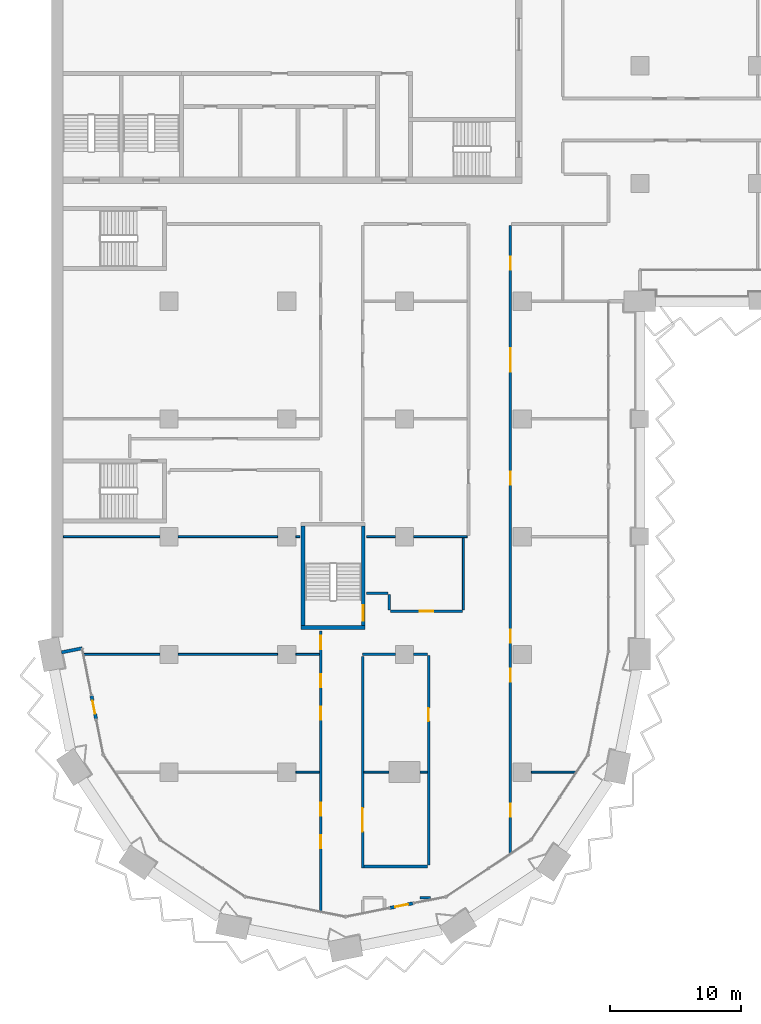
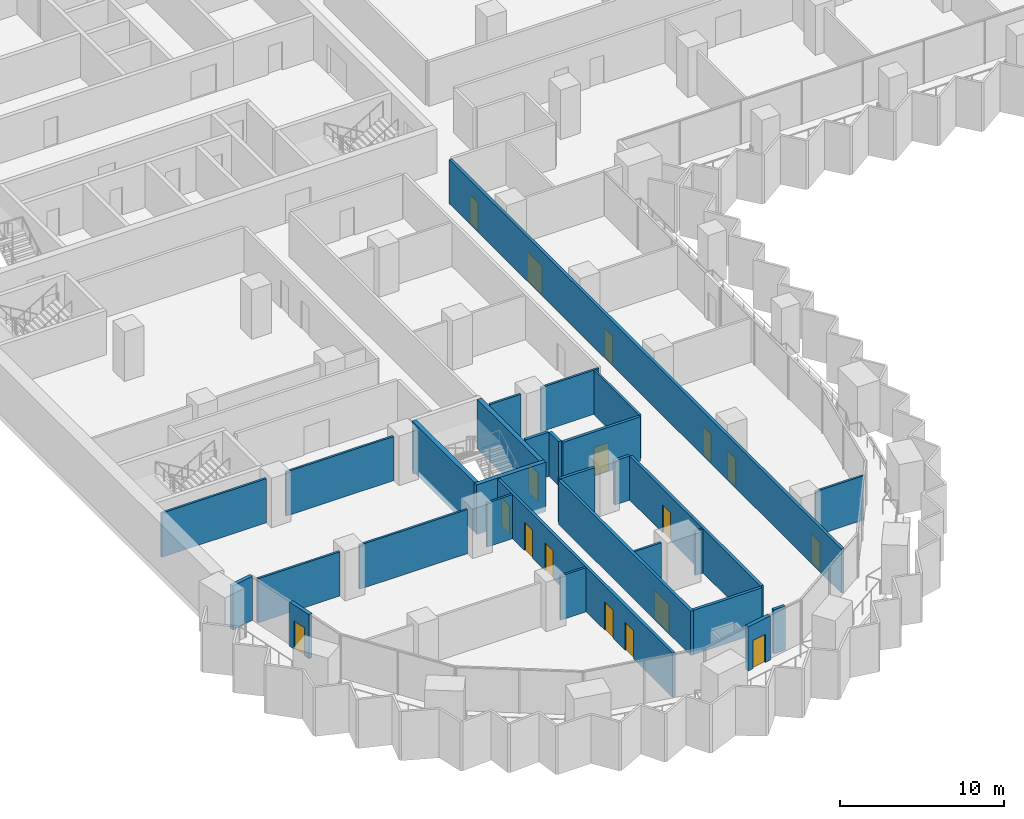
# One storey, part 10 of 28: 30 walls, 17 doors, 17 openings.
"""IFC4 building model written with IfcOpenShell, lengths in metres."""

from ifc_helpers import new_model, si_unit, direction, frame, frame_2d, origin, place, context, subcontext, project, spatial, rectangle, extrude, material, layer, layer_set, type_object, element, fill, save


model = new_model("IFC4")

# Units and contexts
model_context = context("Model", 3, precision=1e-05, world=origin(), true_north=direction((0.0, 1.0)))
body_context = subcontext(model_context, "Body", "Model", "MODEL_VIEW")
ifc_project = project(units=[si_unit("LENGTHUNIT", "METRE"), si_unit("AREAUNIT", "SQUARE_METRE"), si_unit("VOLUMEUNIT", "CUBIC_METRE"), si_unit("PLANEANGLEUNIT", "RADIAN"), si_unit("MASSUNIT", "GRAM", prefix="KILO")], contexts=[model_context])

# Site, building, storey
site_placement = place(None, origin())
site = spatial("IfcSite", under=ifc_project, at=site_placement, CompositionType="ELEMENT")
building_placement = place(site_placement, origin())
building = spatial("IfcBuilding", under=site, at=building_placement, Name="Hunhe Ridgeline Campus", CompositionType="ELEMENT")
storey_placement = place(building_placement, frame((0.0, 0.0, 58.0)))
storey = spatial("IfcBuildingStorey", under=building, at=storey_placement, Name="L13", CompositionType="ELEMENT", Elevation=58.0)

# Walls
ifc_material_1 = material(Name="Concrete C30", Category="concrete")
ifc_layer_1 = layer(ifc_material_1, 0.25)
ifc_layer_set_1 = layer_set([ifc_layer_1], Name="Corner return wall 250 Concrete C30")
wall_type_1 = type_object("IfcWallType", Name="Corner return wall 250 Concrete C30", PredefinedType="SOLIDWALL", material=ifc_layer_set_1)
wall_1_placement = place(storey_placement, frame((0.784423828125, 27.15673828125, 0.0), z_axis=(0.0, 0.0, 1.0), x_axis=(0.980826234823, 0.19488431718, 0.0)))
element("IfcWall", 1, at=wall_1_placement, inside=storey, type_object=wall_type_1, Name="Corner return wall 1", PredefinedType="SOLIDWALL", context=body_context, shape_type="SweptSolid", body=[
    extrude(rectangle(XDim=1.60107421875, YDim=0.25, at=frame_2d((0.800537109375, 0.0))), origin(), (0.0, 0.0, 1.0), 3.300048828125),
])
ifc_material_2 = material(Name="Gypsum board partition")
ifc_layer_2 = layer(ifc_material_2, 0.199951171875)
ifc_layer_set_2 = layer_set([ifc_layer_2], Name="Corridor partition 200 gypsum board on steel studs")
wall_type_2 = type_object("IfcWallType", Name="Corridor partition 200 gypsum board on steel studs", PredefinedType="PARTITIONING", material=ifc_layer_set_2)
wall_2_placement = place(storey_placement, frame((29.007568359375, 8.389892578125, 0.0), z_axis=(0.0, 0.0, 1.0), x_axis=(-1.0, 0.0, 0.0)))
element("IfcWall", 2, at=wall_2_placement, inside=storey, type_object=wall_type_2, Name="F-L13-wall-002", PredefinedType="PARTITIONING", context=body_context, shape_type="SweptSolid", body=[
    extrude(rectangle(XDim=0.82958984375, YDim=0.199951171875, at=frame_2d((0.414794921875, 0.0))), origin(), (0.0, 0.0, 1.0), 3.300048828125),
])
wall_3_placement = place(storey_placement, frame((23.89990234375, 10.7900390625, 0.0), z_axis=(0.0, 0.0, 1.0), x_axis=(1.0, 0.0, 0.0)))
element("IfcWall", 3, at=wall_3_placement, inside=storey, type_object=wall_type_2, Name="F-L13-wall-003", PredefinedType="PARTITIONING", context=body_context, shape_type="SweptSolid", body=[
    extrude(rectangle(XDim=4.85009765625, YDim=0.199951171875, at=frame_2d((2.425048828125, 0.0))), origin(), (0.0, 0.0, 1.0), 3.300048828125),
])
wall_4_placement = place(storey_placement, frame((26.300048828125, 27.0, 0.0), z_axis=(0.0, 0.0, 1.0), x_axis=(-1.0, 0.0, 0.0)))
element("IfcWall", 4, at=wall_4_placement, inside=storey, type_object=wall_type_2, Name="F-L13-wall-010", PredefinedType="PARTITIONING", context=body_context, shape_type="SweptSolid", body=[
    extrude(rectangle(XDim=2.5, YDim=0.199951171875, at=frame_2d((1.25, 0.0))), origin(), (0.0, 0.0, 1.0), 3.300048828125),
])
wall_5_placement = place(storey_placement, frame((28.75, 27.0, 0.0), z_axis=(0.0, 0.0, 1.0), x_axis=(-1.0, 0.0, 0.0)))
element("IfcWall", 5, at=wall_5_placement, inside=storey, type_object=wall_type_2, Name="F-L13-wall-011", PredefinedType="PARTITIONING", context=body_context, shape_type="SweptSolid", body=[
    extrude(rectangle(XDim=1.050048828125, YDim=0.199951171875, at=frame_2d((0.52490234375, 0.0))), origin(), (0.0, 0.0, 1.0), 3.300048828125),
])

# Wall, opening, door
wall_6_placement = place(storey_placement, frame((25.949951171875, 30.299072265625, 0.0), z_axis=(0.0, 0.0, 1.0), x_axis=(1.0, 0.0, 0.0)))
wall_6 = element("IfcWall", 6, at=wall_6_placement, inside=storey, type_object=wall_type_2, Name="F-L13-wall-015", PredefinedType="PARTITIONING", context=body_context, shape_type="SweptSolid", body=[
    extrude(rectangle(XDim=5.47509765625, YDim=0.199951171875, at=frame_2d((2.737548828125, 0.0))), origin(), (0.0, 0.0, 1.0), 3.300048828125),
])
opening_1_placement = place(wall_6_placement, frame((2.237548828125, 0.0, 0.0)))
opening_1 = element("IfcOpeningElement", 7, at=opening_1_placement, cuts=wall_6, Name="Opening RD1-011", PredefinedType="OPENING", context=body_context, shape_type="SweptSolid", body=[
    extrude(rectangle(XDim=1.0, YDim=2.10009765625, at=frame_2d((0.5, 1.050048828125))), frame((0.0, 0.10009765625, 0.0), z_axis=(0.0, -1.0, 0.0), x_axis=(1.0, 0.0, 0.0)), (0.0, 0.0, 1.0), 0.199951171875),
])
ifc_material_3 = material(Name="Timber door leaf", Category="wood")
door_type_1 = type_object("IfcDoorType", Name="Single fire door 1000x2100 timber FD60", OperationType="NOTDEFINED", PredefinedType="DOOR", material=ifc_material_3)
door_1_placement = place(opening_1_placement, origin())
door_1 = element("IfcDoor", 8, at=door_1_placement, inside=storey, type_object=door_type_1, Name="F-L13-door-011", OperationType="SINGLE_SWING_LEFT", OverallHeight=2.10009765625, OverallWidth=1.0, PredefinedType="DOOR", context=body_context, shape_type="SweptSolid", body=[
    extrude(rectangle(XDim=1.0, YDim=2.10009765625, at=frame_2d((0.5, 1.050048828125))), frame((0.0, 0.02490234375, 0.0), z_axis=(0.0, -1.0, 0.0), x_axis=(1.0, 0.0, 0.0)), (0.0, 0.0, 1.0), 0.050048828125),
])
fill(opening_1, door_1)

# Wall
wall_7_placement = place(storey_placement, frame((24.10400390625, 31.675048828125, 0.0), z_axis=(0.0, 0.0, 1.0), x_axis=(1.0, 0.0, 0.0)))
element("IfcWall", 9, at=wall_7_placement, inside=storey, type_object=wall_type_2, Name="F-L13-wall-016", PredefinedType="PARTITIONING", context=body_context, shape_type="SweptSolid", body=[
    extrude(rectangle(XDim=1.64599609375, YDim=0.199951171875, at=frame_2d((0.822998046875, 0.0))), origin(), (0.0, 0.0, 1.0), 3.300048828125),
])

# Wall, openings, doors
wall_8_placement = place(storey_placement, frame((20.60009765625, 7.381103515625, 0.0), z_axis=(0.0, 0.0, 1.0), x_axis=(0.0, 1.0, 0.0)))
wall_8 = element("IfcWall", 10, at=wall_8_placement, inside=storey, type_object=wall_type_2, Name="F-L13-wall-049", PredefinedType="PARTITIONING", context=body_context, shape_type="SweptSolid", body=[
    extrude(rectangle(XDim=21.414794921875, YDim=0.199951171875, at=frame_2d((10.70751953125, 0.0))), origin(), (0.0, 0.0, 1.0), 3.300048828125),
])
opening_2_placement = place(wall_8_placement, frame((4.790771484375, 0.0, 0.0)))
opening_2 = element("IfcOpeningElement", 11, at=opening_2_placement, cuts=wall_8, Name="Opening RD1-001", PredefinedType="OPENING", context=body_context, shape_type="SweptSolid", body=[
    extrude(rectangle(XDim=1.0, YDim=2.10009765625, at=frame_2d((0.5, 1.050048828125))), frame((0.0, 0.10009765625, 0.0), z_axis=(0.0, -1.0, 0.0), x_axis=(1.0, 0.0, 0.0)), (0.0, 0.0, 1.0), 0.199951171875),
])
opening_3_placement = place(wall_8_placement, frame((7.290771484375, 0.0, 0.0)))
opening_3 = element("IfcOpeningElement", 12, at=opening_3_placement, cuts=wall_8, Name="Opening RD1-004", PredefinedType="OPENING", context=body_context, shape_type="SweptSolid", body=[
    extrude(rectangle(XDim=1.0, YDim=2.10009765625, at=frame_2d((0.5, 1.050048828125))), frame((0.0, 0.10009765625, 0.0), z_axis=(0.0, -1.0, 0.0), x_axis=(1.0, 0.0, 0.0)), (0.0, 0.0, 1.0), 0.199951171875),
])
opening_4_placement = place(wall_8_placement, frame((14.616455078125, 0.0, 0.0)))
opening_4 = element("IfcOpeningElement", 13, at=opening_4_placement, cuts=wall_8, Name="Opening RD1-006", PredefinedType="OPENING", context=body_context, shape_type="SweptSolid", body=[
    extrude(rectangle(XDim=1.0, YDim=2.10009765625, at=frame_2d((0.5, 1.050048828125))), frame((0.0, 0.10009765625, 0.0), z_axis=(0.0, -1.0, 0.0), x_axis=(1.0, 0.0, 0.0)), (0.0, 0.0, 1.0), 0.199951171875),
])
opening_5_placement = place(wall_8_placement, frame((17.116455078125, 0.0, 0.0)))
opening_5 = element("IfcOpeningElement", 14, at=opening_5_placement, cuts=wall_8, Name="Opening RD1-007", PredefinedType="OPENING", context=body_context, shape_type="SweptSolid", body=[
    extrude(rectangle(XDim=1.0, YDim=2.10009765625, at=frame_2d((0.5, 1.050048828125))), frame((0.0, 0.10009765625, 0.0), z_axis=(0.0, -1.0, 0.0), x_axis=(1.0, 0.0, 0.0)), (0.0, 0.0, 1.0), 0.199951171875),
])
opening_6_placement = place(wall_8_placement, frame((20.033203125, 0.0, 0.0)))
opening_6 = element("IfcOpeningElement", 15, at=opening_6_placement, cuts=wall_8, Name="Opening RD1-009", PredefinedType="OPENING", context=body_context, shape_type="SweptSolid", body=[
    extrude(rectangle(XDim=1.0, YDim=2.10009765625, at=frame_2d((0.5, 1.050048828125))), frame((0.0, 0.10009765625, 0.0), z_axis=(0.0, -1.0, 0.0), x_axis=(1.0, 0.0, 0.0)), (0.0, 0.0, 1.0), 0.199951171875),
])
door_2_placement = place(opening_2_placement, frame((1.0, 0.0, 0.0), z_axis=(0.0, 0.0, 1.0), x_axis=(-1.0, 0.0, 0.0)))
door_2 = element("IfcDoor", 16, at=door_2_placement, inside=storey, type_object=door_type_1, Name="F-L13-door-001", OperationType="SINGLE_SWING_LEFT", OverallHeight=2.10009765625, OverallWidth=1.0, PredefinedType="DOOR", context=body_context, shape_type="SweptSolid", body=[
    extrude(rectangle(XDim=1.0, YDim=2.10009765625, at=frame_2d((0.5, 1.050048828125))), frame((0.0, 0.02490234375, 0.0), z_axis=(0.0, -1.0, 0.0), x_axis=(1.0, 0.0, 0.0)), (0.0, 0.0, 1.0), 0.050048828125),
])
fill(opening_2, door_2)
door_3_placement = place(opening_3_placement, frame((1.0, 0.0, 0.0), z_axis=(0.0, 0.0, 1.0), x_axis=(-1.0, 0.0, 0.0)))
door_3 = element("IfcDoor", 17, at=door_3_placement, inside=storey, type_object=door_type_1, Name="F-L13-door-004", OperationType="SINGLE_SWING_LEFT", OverallHeight=2.10009765625, OverallWidth=1.0, PredefinedType="DOOR", context=body_context, shape_type="SweptSolid", body=[
    extrude(rectangle(XDim=1.0, YDim=2.10009765625, at=frame_2d((0.5, 1.050048828125))), frame((0.0, 0.02490234375, 0.0), z_axis=(0.0, -1.0, 0.0), x_axis=(1.0, 0.0, 0.0)), (0.0, 0.0, 1.0), 0.050048828125),
])
fill(opening_3, door_3)
door_4_placement = place(opening_4_placement, frame((1.0, 0.0, 0.0), z_axis=(0.0, 0.0, 1.0), x_axis=(-1.0, 0.0, 0.0)))
door_4 = element("IfcDoor", 18, at=door_4_placement, inside=storey, type_object=door_type_1, Name="F-L13-door-006", OperationType="SINGLE_SWING_RIGHT", OverallHeight=2.10009765625, OverallWidth=1.0, PredefinedType="DOOR", context=body_context, shape_type="SweptSolid", body=[
    extrude(rectangle(XDim=1.0, YDim=2.10009765625, at=frame_2d((0.5, 1.050048828125))), frame((0.0, 0.02490234375, 0.0), z_axis=(0.0, -1.0, 0.0), x_axis=(1.0, 0.0, 0.0)), (0.0, 0.0, 1.0), 0.050048828125),
])
fill(opening_4, door_4)
door_5_placement = place(opening_5_placement, frame((1.0, 0.0, 0.0), z_axis=(0.0, 0.0, 1.0), x_axis=(-1.0, 0.0, 0.0)))
door_5 = element("IfcDoor", 19, at=door_5_placement, inside=storey, type_object=door_type_1, Name="F-L13-door-007", OperationType="SINGLE_SWING_LEFT", OverallHeight=2.10009765625, OverallWidth=1.0, PredefinedType="DOOR", context=body_context, shape_type="SweptSolid", body=[
    extrude(rectangle(XDim=1.0, YDim=2.10009765625, at=frame_2d((0.5, 1.050048828125))), frame((0.0, 0.02490234375, 0.0), z_axis=(0.0, -1.0, 0.0), x_axis=(1.0, 0.0, 0.0)), (0.0, 0.0, 1.0), 0.050048828125),
])
fill(opening_5, door_5)
door_6_placement = place(opening_6_placement, frame((1.0, 0.0, 0.0), z_axis=(0.0, 0.0, 1.0), x_axis=(-1.0, 0.0, 0.0)))
door_6 = element("IfcDoor", 20, at=door_6_placement, inside=storey, type_object=door_type_1, Name="F-L13-door-009", OperationType="SINGLE_SWING_LEFT", OverallHeight=2.10009765625, OverallWidth=1.0, PredefinedType="DOOR", context=body_context, shape_type="SweptSolid", body=[
    extrude(rectangle(XDim=1.0, YDim=2.10009765625, at=frame_2d((0.5, 1.050048828125))), frame((0.0, 0.02490234375, 0.0), z_axis=(0.0, -1.0, 0.0), x_axis=(1.0, 0.0, 0.0)), (0.0, 0.0, 1.0), 0.050048828125),
])
fill(opening_6, door_6)

# Wall, opening, door
wall_9_placement = place(storey_placement, frame((23.800048828125, 26.83837890625, 0.0), z_axis=(0.0, 0.0, 1.0), x_axis=(0.0, -1.0, 0.0)))
wall_9 = element("IfcWall", 21, at=wall_9_placement, inside=storey, type_object=wall_type_2, Name="F-L13-wall-053", PredefinedType="PARTITIONING", context=body_context, shape_type="SweptSolid", body=[
    extrude(rectangle(XDim=16.15087890625, YDim=0.199951171875, at=frame_2d((8.075439453125, 0.0))), origin(), (0.0, 0.0, 1.0), 3.300048828125),
])
opening_7_placement = place(wall_9_placement, frame((11.591552734375, 0.0, 0.0)))
opening_7 = element("IfcOpeningElement", 22, at=opening_7_placement, cuts=wall_9, Name="Opening RD2-002", PredefinedType="OPENING", context=body_context, shape_type="SweptSolid", body=[
    extrude(rectangle(XDim=1.800048828125, YDim=2.10009765625, at=frame_2d((0.89990234375, 1.050048828125))), frame((0.0, 0.10009765625, 0.0), z_axis=(0.0, -1.0, 0.0), x_axis=(1.0, 0.0, 0.0)), (0.0, 0.0, 1.0), 0.199951171875),
])
door_type_2 = type_object("IfcDoorType", Name="Double fire door 1800x2100 timber FD60", OperationType="DOUBLE_DOOR_SINGLE_SWING", PredefinedType="DOOR", material=ifc_material_3)
door_7_placement = place(opening_7_placement, origin())
door_7 = element("IfcDoor", 23, at=door_7_placement, inside=storey, type_object=door_type_2, Name="F-L13-door-002", OperationType="DOUBLE_DOOR_SINGLE_SWING", OverallHeight=2.10009765625, OverallWidth=1.800048828125, PredefinedType="DOOR", context=body_context, shape_type="SweptSolid", body=[
    extrude(rectangle(XDim=1.800048828125, YDim=2.10009765625, at=frame_2d((0.89990234375, 1.050048828125))), frame((0.0, 0.02490234375, 0.0), z_axis=(0.0, -1.0, 0.0), x_axis=(1.0, 0.0, 0.0)), (0.0, 0.0, 1.0), 0.050048828125),
])
fill(opening_7, door_7)

# Wall
wall_10_placement = place(storey_placement, frame((25.85009765625, 31.574951171875, 0.0), z_axis=(0.0, 0.0, 1.0), x_axis=(0.0, -1.0, 0.0)))
element("IfcWall", 24, at=wall_10_placement, inside=storey, type_object=wall_type_2, Name="F-L13-wall-056", PredefinedType="PARTITIONING", context=body_context, shape_type="SweptSolid", body=[
    extrude(rectangle(XDim=1.176025390625, YDim=0.199951171875, at=frame_2d((0.587890625, 0.0))), origin(), (0.0, 0.0, 1.0), 3.300048828125),
])

# Wall, opening, door
wall_11_placement = place(storey_placement, frame((28.85009765625, 10.889892578125, 0.0), z_axis=(0.0, 0.0, 1.0), x_axis=(0.0, 1.0, 0.0)))
wall_11 = element("IfcWall", 25, at=wall_11_placement, inside=storey, type_object=wall_type_2, Name="F-L13-wall-057", PredefinedType="PARTITIONING", context=body_context, shape_type="SweptSolid", body=[
    extrude(rectangle(XDim=16.010009765625, YDim=0.199951171875, at=frame_2d((8.0048828125, 0.0))), origin(), (0.0, 0.0, 1.0), 3.300048828125),
])
opening_8_placement = place(wall_11_placement, frame((11.007080078125, 0.0, 0.0)))
opening_8 = element("IfcOpeningElement", 26, at=opening_8_placement, cuts=wall_11, Name="Opening RD1-005", PredefinedType="OPENING", context=body_context, shape_type="SweptSolid", body=[
    extrude(rectangle(XDim=1.0, YDim=2.10009765625, at=frame_2d((0.5, 1.050048828125))), frame((0.0, 0.10009765625, 0.0), z_axis=(0.0, -1.0, 0.0), x_axis=(1.0, 0.0, 0.0)), (0.0, 0.0, 1.0), 0.199951171875),
])
door_8_placement = place(opening_8_placement, origin())
door_8 = element("IfcDoor", 27, at=door_8_placement, inside=storey, type_object=door_type_1, Name="F-L13-door-005", OperationType="SINGLE_SWING_RIGHT", OverallHeight=2.10009765625, OverallWidth=1.0, PredefinedType="DOOR", context=body_context, shape_type="SweptSolid", body=[
    extrude(rectangle(XDim=1.0, YDim=2.10009765625, at=frame_2d((0.5, 1.050048828125))), frame((0.0, 0.02490234375, 0.0), z_axis=(0.0, -1.0, 0.0), x_axis=(1.0, 0.0, 0.0)), (0.0, 0.0, 1.0), 0.050048828125),
])
fill(opening_8, door_8)

# Wall, openings, doors
wall_12_placement = place(storey_placement, frame((35.10009765625, 59.800048828125, 0.0), z_axis=(0.0, 0.0, 1.0), x_axis=(0.0, -1.0, 0.0)))
wall_12 = element("IfcWall", 28, at=wall_12_placement, inside=storey, type_object=wall_type_2, Name="F-L13-wall-060", PredefinedType="PARTITIONING", context=body_context, shape_type="SweptSolid", body=[
    extrude(rectangle(XDim=47.968994140625, YDim=0.199951171875, at=frame_2d((23.984375, 0.0))), origin(), (0.0, 0.0, 1.0), 3.300048828125),
])
opening_9_placement = place(wall_12_placement, frame((44.2041015625, 0.0, 0.0)))
opening_9 = element("IfcOpeningElement", 29, at=opening_9_placement, cuts=wall_12, Name="Opening RD1-003", PredefinedType="OPENING", context=body_context, shape_type="SweptSolid", body=[
    extrude(rectangle(XDim=1.0, YDim=2.10009765625, at=frame_2d((0.5, 1.050048828125))), frame((0.0, 0.10009765625, 0.0), z_axis=(0.0, -1.0, 0.0), x_axis=(1.0, 0.0, 0.0)), (0.0, 0.0, 1.0), 0.199951171875),
])
opening_10_placement = place(wall_12_placement, frame((33.900146484375, 0.0, 0.0)))
opening_10 = element("IfcOpeningElement", 30, at=opening_10_placement, cuts=wall_12, Name="Opening RD1-008", PredefinedType="OPENING", context=body_context, shape_type="SweptSolid", body=[
    extrude(rectangle(XDim=1.0, YDim=2.10009765625, at=frame_2d((0.5, 1.050048828125))), frame((0.0, 0.10009765625, 0.0), z_axis=(0.0, -1.0, 0.0), x_axis=(1.0, 0.0, 0.0)), (0.0, 0.0, 1.0), 0.199951171875),
])
opening_11_placement = place(wall_12_placement, frame((30.900146484375, 0.0, 0.0)))
opening_11 = element("IfcOpeningElement", 31, at=opening_11_placement, cuts=wall_12, Name="Opening RD1-010", PredefinedType="OPENING", context=body_context, shape_type="SweptSolid", body=[
    extrude(rectangle(XDim=1.0, YDim=2.10009765625, at=frame_2d((0.5, 1.050048828125))), frame((0.0, 0.10009765625, 0.0), z_axis=(0.0, -1.0, 0.0), x_axis=(1.0, 0.0, 0.0)), (0.0, 0.0, 1.0), 0.199951171875),
])
opening_12_placement = place(wall_12_placement, frame((18.838134765625, 0.0, 0.0)))
opening_12 = element("IfcOpeningElement", 32, at=opening_12_placement, cuts=wall_12, Name="Opening RD1-012", PredefinedType="OPENING", context=body_context, shape_type="SweptSolid", body=[
    extrude(rectangle(XDim=1.0, YDim=2.10009765625, at=frame_2d((0.5, 1.050048828125))), frame((0.0, 0.10009765625, 0.0), z_axis=(0.0, -1.0, 0.0), x_axis=(1.0, 0.0, 0.0)), (0.0, 0.0, 1.0), 0.199951171875),
])
opening_13_placement = place(wall_12_placement, frame((9.39697265625, 0.0, 0.0)))
opening_13 = element("IfcOpeningElement", 33, at=opening_13_placement, cuts=wall_12, Name="Opening RD2-017", PredefinedType="OPENING", context=body_context, shape_type="SweptSolid", body=[
    extrude(rectangle(XDim=1.800048828125, YDim=2.10009765625, at=frame_2d((0.89990234375, 1.050048828125))), frame((0.0, 0.10009765625, 0.0), z_axis=(0.0, -1.0, 0.0), x_axis=(1.0, 0.0, 0.0)), (0.0, 0.0, 1.0), 0.199951171875),
])
opening_14_placement = place(wall_12_placement, frame((2.38818359375, 0.0, 0.0)))
opening_14 = element("IfcOpeningElement", 34, at=opening_14_placement, cuts=wall_12, Name="Opening RD1-021", PredefinedType="OPENING", context=body_context, shape_type="SweptSolid", body=[
    extrude(rectangle(XDim=1.0, YDim=2.10009765625, at=frame_2d((0.5, 1.050048828125))), frame((0.0, 0.10009765625, 0.0), z_axis=(0.0, -1.0, 0.0), x_axis=(1.0, 0.0, 0.0)), (0.0, 0.0, 1.0), 0.199951171875),
])
door_9_placement = place(opening_13_placement, origin())
door_9 = element("IfcDoor", 35, at=door_9_placement, inside=storey, type_object=door_type_2, Name="F-L13-door-017", OperationType="DOUBLE_DOOR_SINGLE_SWING", OverallHeight=2.10009765625, OverallWidth=1.800048828125, PredefinedType="DOOR", context=body_context, shape_type="SweptSolid", body=[
    extrude(rectangle(XDim=1.800048828125, YDim=2.10009765625, at=frame_2d((0.89990234375, 1.050048828125))), frame((0.0, 0.02490234375, 0.0), z_axis=(0.0, -1.0, 0.0), x_axis=(1.0, 0.0, 0.0)), (0.0, 0.0, 1.0), 0.050048828125),
])
fill(opening_13, door_9)
door_10_placement = place(opening_9_placement, origin())
door_10 = element("IfcDoor", 36, at=door_10_placement, inside=storey, type_object=door_type_1, Name="F-L13-door-003", OperationType="SINGLE_SWING_LEFT", OverallHeight=2.10009765625, OverallWidth=1.0, PredefinedType="DOOR", context=body_context, shape_type="SweptSolid", body=[
    extrude(rectangle(XDim=1.0, YDim=2.10009765625, at=frame_2d((0.5, 1.050048828125))), frame((0.0, 0.02490234375, 0.0), z_axis=(0.0, -1.0, 0.0), x_axis=(1.0, 0.0, 0.0)), (0.0, 0.0, 1.0), 0.050048828125),
])
fill(opening_9, door_10)
door_11_placement = place(opening_10_placement, frame((1.0, 0.0, 0.0), z_axis=(0.0, 0.0, 1.0), x_axis=(-1.0, 0.0, 0.0)))
door_11 = element("IfcDoor", 37, at=door_11_placement, inside=storey, type_object=door_type_1, Name="F-L13-door-008", OperationType="SINGLE_SWING_LEFT", OverallHeight=2.10009765625, OverallWidth=1.0, PredefinedType="DOOR", context=body_context, shape_type="SweptSolid", body=[
    extrude(rectangle(XDim=1.0, YDim=2.10009765625, at=frame_2d((0.5, 1.050048828125))), frame((0.0, 0.02490234375, 0.0), z_axis=(0.0, -1.0, 0.0), x_axis=(1.0, 0.0, 0.0)), (0.0, 0.0, 1.0), 0.050048828125),
])
fill(opening_10, door_11)
door_12_placement = place(opening_11_placement, frame((1.0, 0.0, 0.0), z_axis=(0.0, 0.0, 1.0), x_axis=(-1.0, 0.0, 0.0)))
door_12 = element("IfcDoor", 38, at=door_12_placement, inside=storey, type_object=door_type_1, Name="F-L13-door-010", OperationType="SINGLE_SWING_RIGHT", OverallHeight=2.10009765625, OverallWidth=1.0, PredefinedType="DOOR", context=body_context, shape_type="SweptSolid", body=[
    extrude(rectangle(XDim=1.0, YDim=2.10009765625, at=frame_2d((0.5, 1.050048828125))), frame((0.0, 0.02490234375, 0.0), z_axis=(0.0, -1.0, 0.0), x_axis=(1.0, 0.0, 0.0)), (0.0, 0.0, 1.0), 0.050048828125),
])
fill(opening_11, door_12)
door_13_placement = place(opening_12_placement, origin())
door_13 = element("IfcDoor", 39, at=door_13_placement, inside=storey, type_object=door_type_1, Name="F-L13-door-012", OperationType="SINGLE_SWING_LEFT", OverallHeight=2.10009765625, OverallWidth=1.0, PredefinedType="DOOR", context=body_context, shape_type="SweptSolid", body=[
    extrude(rectangle(XDim=1.0, YDim=2.10009765625, at=frame_2d((0.5, 1.050048828125))), frame((0.0, 0.02490234375, 0.0), z_axis=(0.0, -1.0, 0.0), x_axis=(1.0, 0.0, 0.0)), (0.0, 0.0, 1.0), 0.050048828125),
])
fill(opening_12, door_13)
door_14_placement = place(opening_14_placement, origin())
door_14 = element("IfcDoor", 40, at=door_14_placement, inside=storey, type_object=door_type_1, Name="F-L13-door-021", OperationType="SINGLE_SWING_LEFT", OverallHeight=2.10009765625, OverallWidth=1.0, PredefinedType="DOOR", context=body_context, shape_type="SweptSolid", body=[
    extrude(rectangle(XDim=1.0, YDim=2.10009765625, at=frame_2d((0.5, 1.050048828125))), frame((0.0, 0.02490234375, 0.0), z_axis=(0.0, -1.0, 0.0), x_axis=(1.0, 0.0, 0.0)), (0.0, 0.0, 1.0), 0.050048828125),
])
fill(opening_14, door_14)

# Wall, opening, door
ifc_layer_3 = layer(ifc_material_1, 0.25)
ifc_layer_set_3 = layer_set([ifc_layer_3], Name="Loggia door pier wall 250 Concrete C30")
wall_type_3 = type_object("IfcWallType", Name="Loggia door pier wall 250 Concrete C30", PredefinedType="SOLIDWALL", material=ifc_layer_set_3)
wall_13_placement = place(storey_placement, frame((3.076904296875, 23.8388671875, 0.0), z_axis=(0.0, 0.0, 1.0), x_axis=(0.195046569833, -0.980793982239, 0.0)))
wall_13 = element("IfcWall", 41, at=wall_13_placement, inside=storey, type_object=wall_type_3, Name="Loggia door pier 1", PredefinedType="SOLIDWALL", context=body_context, shape_type="SweptSolid", body=[
    extrude(rectangle(XDim=1.800048828125, YDim=0.25, at=frame_2d((0.89990234375, 0.0))), origin(), (0.0, 0.0, 1.0), 3.300048828125),
])
opening_15_placement = place(wall_13_placement, frame((0.39990234375, 0.0, 0.0)))
opening_15 = element("IfcOpeningElement", 42, at=opening_15_placement, cuts=wall_13, Name="Opening BD101", PredefinedType="OPENING", context=body_context, shape_type="SweptSolid", body=[
    extrude(rectangle(XDim=1.0, YDim=2.10009765625, at=frame_2d((0.5, 1.050048828125))), frame((0.0, 0.125, 0.0), z_axis=(0.0, -1.0, 0.0), x_axis=(1.0, 0.0, 0.0)), (0.0, 0.0, 1.0), 0.25),
])
ifc_material_4 = material(Name="Aluminium 6063", Category="aluminium")
door_type_3 = type_object("IfcDoorType", Name="Loggia glazed door 1000x2100", OperationType="NOTDEFINED", PredefinedType="DOOR", material=ifc_material_4)
door_15_placement = place(opening_15_placement, frame((1.0, 0.0, 0.0), z_axis=(0.0, 0.0, 1.0), x_axis=(-1.0, 0.0, 0.0)))
door_15 = element("IfcDoor", 43, at=door_15_placement, inside=storey, type_object=door_type_3, Name="Loggia door BD101", OperationType="SINGLE_SWING_RIGHT", OverallHeight=2.10009765625, OverallWidth=1.0, PredefinedType="DOOR", context=body_context, shape_type="SweptSolid", body=[
    extrude(rectangle(XDim=1.0, YDim=2.10009765625, at=frame_2d((0.5, 1.050048828125))), frame((0.0, 0.02490234375, 0.0), z_axis=(0.0, -1.0, 0.0), x_axis=(1.0, 0.0, 0.0)), (0.0, 0.0, 1.0), 0.050048828125),
])
fill(opening_15, door_15)

wall_14_placement = place(storey_placement, frame((25.8955078125, 7.62353515625, 0.0), z_axis=(0.0, 0.0, 1.0), x_axis=(0.980793982239, 0.195046569833, 0.0)))
wall_14 = element("IfcWall", 44, at=wall_14_placement, inside=storey, type_object=wall_type_3, Name="Loggia door pier 2", PredefinedType="SOLIDWALL", context=body_context, shape_type="SweptSolid", body=[
    extrude(rectangle(XDim=1.800048828125, YDim=0.25, at=frame_2d((0.89990234375, 0.0))), origin(), (0.0, 0.0, 1.0), 3.300048828125),
])
opening_16_placement = place(wall_14_placement, frame((0.39990234375, 0.0, 0.0)))
opening_16 = element("IfcOpeningElement", 45, at=opening_16_placement, cuts=wall_14, Name="Opening BD103", PredefinedType="OPENING", context=body_context, shape_type="SweptSolid", body=[
    extrude(rectangle(XDim=1.0, YDim=2.10009765625, at=frame_2d((0.5, 1.050048828125))), frame((0.0, 0.125, 0.0), z_axis=(0.0, -1.0, 0.0), x_axis=(1.0, 0.0, 0.0)), (0.0, 0.0, 1.0), 0.25),
])
door_16_placement = place(opening_16_placement, frame((1.0, 0.0, 0.0), z_axis=(0.0, 0.0, 1.0), x_axis=(-1.0, 0.0, 0.0)))
door_16 = element("IfcDoor", 46, at=door_16_placement, inside=storey, type_object=door_type_3, Name="Loggia door BD103", OperationType="SINGLE_SWING_RIGHT", OverallHeight=2.10009765625, OverallWidth=1.0, PredefinedType="DOOR", context=body_context, shape_type="SweptSolid", body=[
    extrude(rectangle(XDim=1.0, YDim=2.10009765625, at=frame_2d((0.5, 1.050048828125))), frame((0.0, 0.02490234375, 0.0), z_axis=(0.0, -1.0, 0.0), x_axis=(1.0, 0.0, 0.0)), (0.0, 0.0, 1.0), 0.050048828125),
])
fill(opening_16, door_16)

# Walls
ifc_layer_4 = layer(ifc_material_2, 0.14990234375)
ifc_layer_set_4 = layer_set([ifc_layer_4], Name="Room partition 150 gypsum board on steel studs")
wall_type_4 = type_object("IfcWallType", Name="Room partition 150 gypsum board on steel studs", PredefinedType="PARTITIONING", material=ifc_layer_set_4)
wall_15_placement = place(storey_placement, frame((18.699951171875, 18.0, 0.0), z_axis=(0.0, 0.0, 1.0), x_axis=(1.0, 0.0, 0.0)))
element("IfcWall", 47, at=wall_15_placement, inside=storey, type_object=wall_type_4, Name="F-L13-wall-006", PredefinedType="PARTITIONING", context=body_context, shape_type="SweptSolid", body=[
    extrude(rectangle(XDim=1.800048828125, YDim=0.14990234375, at=frame_2d((0.89990234375, 0.0))), origin(), (0.0, 0.0, 1.0), 3.300048828125),
])
wall_16_placement = place(storey_placement, frame((23.89990234375, 18.0, 0.0), z_axis=(0.0, 0.0, 1.0), x_axis=(1.0, 0.0, 0.0)))
element("IfcWall", 48, at=wall_16_placement, inside=storey, type_object=wall_type_4, Name="F-L13-wall-007", PredefinedType="PARTITIONING", context=body_context, shape_type="SweptSolid", body=[
    extrude(rectangle(XDim=1.900146484375, YDim=0.14990234375, at=frame_2d((0.9501953125, 0.0))), origin(), (0.0, 0.0, 1.0), 3.300048828125),
])
wall_17_placement = place(storey_placement, frame((28.199951171875, 18.0, 0.0), z_axis=(0.0, 0.0, 1.0), x_axis=(1.0, 0.0, 0.0)))
element("IfcWall", 49, at=wall_17_placement, inside=storey, type_object=wall_type_4, Name="F-L13-wall-008", PredefinedType="PARTITIONING", context=body_context, shape_type="SweptSolid", body=[
    extrude(rectangle(XDim=0.550048828125, YDim=0.14990234375, at=frame_2d((0.27490234375, 0.0))), origin(), (0.0, 0.0, 1.0), 3.300048828125),
])
wall_18_placement = place(storey_placement, frame((36.699951171875, 18.0, 0.0), z_axis=(0.0, 0.0, 1.0), x_axis=(1.0, 0.0, 0.0)))
element("IfcWall", 50, at=wall_18_placement, inside=storey, type_object=wall_type_4, Name="F-L13-wall-009", PredefinedType="PARTITIONING", context=body_context, shape_type="SweptSolid", body=[
    extrude(rectangle(XDim=3.37451171875, YDim=0.14990234375, at=frame_2d((1.687255859375, 0.0))), origin(), (0.0, 0.0, 1.0), 3.300048828125),
])
wall_19_placement = place(storey_placement, frame((2.503173828125, 27.0, 0.0), z_axis=(0.0, 0.0, 1.0), x_axis=(1.0, 0.0, 0.0)))
element("IfcWall", 51, at=wall_19_placement, inside=storey, type_object=wall_type_4, Name="F-L13-wall-012", PredefinedType="PARTITIONING", context=body_context, shape_type="SweptSolid", body=[
    extrude(rectangle(XDim=5.796875, YDim=0.14990234375, at=frame_2d((2.8984375, 0.0))), origin(), (0.0, 0.0, 1.0), 3.300048828125),
])
wall_20_placement = place(storey_placement, frame((9.699951171875, 27.0, 0.0), z_axis=(0.0, 0.0, 1.0), x_axis=(1.0, 0.0, 0.0)))
element("IfcWall", 52, at=wall_20_placement, inside=storey, type_object=wall_type_4, Name="F-L13-wall-013", PredefinedType="PARTITIONING", context=body_context, shape_type="SweptSolid", body=[
    extrude(rectangle(XDim=7.60009765625, YDim=0.14990234375, at=frame_2d((3.800048828125, 0.0))), origin(), (0.0, 0.0, 1.0), 3.300048828125),
])
wall_21_placement = place(storey_placement, frame((18.699951171875, 27.0, 0.0), z_axis=(0.0, 0.0, 1.0), x_axis=(1.0, 0.0, 0.0)))
element("IfcWall", 53, at=wall_21_placement, inside=storey, type_object=wall_type_4, Name="F-L13-wall-014", PredefinedType="PARTITIONING", context=body_context, shape_type="SweptSolid", body=[
    extrude(rectangle(XDim=1.800048828125, YDim=0.14990234375, at=frame_2d((0.89990234375, 0.0))), origin(), (0.0, 0.0, 1.0), 3.300048828125),
])
wall_22_placement = place(storey_placement, frame((0.919921875, 36.0, 0.0), z_axis=(0.0, 0.0, 1.0), x_axis=(1.0, 0.0, 0.0)))
element("IfcWall", 54, at=wall_22_placement, inside=storey, type_object=wall_type_4, Name="F-L13-wall-017", PredefinedType="PARTITIONING", context=body_context, shape_type="SweptSolid", body=[
    extrude(rectangle(XDim=7.380126953125, YDim=0.14990234375, at=frame_2d((3.68994140625, 0.0))), origin(), (0.0, 0.0, 1.0), 3.300048828125),
])
wall_23_placement = place(storey_placement, frame((9.699951171875, 36.0, 0.0), z_axis=(0.0, 0.0, 1.0), x_axis=(1.0, 0.0, 0.0)))
element("IfcWall", 55, at=wall_23_placement, inside=storey, type_object=wall_type_4, Name="F-L13-wall-018", PredefinedType="PARTITIONING", context=body_context, shape_type="SweptSolid", body=[
    extrude(rectangle(XDim=7.60009765625, YDim=0.14990234375, at=frame_2d((3.800048828125, 0.0))), origin(), (0.0, 0.0, 1.0), 3.300048828125),
])
wall_24_placement = place(storey_placement, frame((18.699951171875, 36.0, 0.0), z_axis=(0.0, 0.0, 1.0), x_axis=(1.0, 0.0, 0.0)))
element("IfcWall", 56, at=wall_24_placement, inside=storey, type_object=wall_type_4, Name="F-L13-wall-019", PredefinedType="PARTITIONING", context=body_context, shape_type="SweptSolid", body=[
    extrude(rectangle(XDim=0.296142578125, YDim=0.14990234375, at=frame_2d((0.14794921875, 0.0))), origin(), (0.0, 0.0, 1.0), 3.300048828125),
])
wall_25_placement = place(storey_placement, frame((24.10400390625, 36.0, 0.0), z_axis=(0.0, 0.0, 1.0), x_axis=(1.0, 0.0, 0.0)))
element("IfcWall", 57, at=wall_25_placement, inside=storey, type_object=wall_type_4, Name="F-L13-wall-020", PredefinedType="PARTITIONING", context=body_context, shape_type="SweptSolid", body=[
    extrude(rectangle(XDim=2.196044921875, YDim=0.14990234375, at=frame_2d((1.09814453125, 0.0))), origin(), (0.0, 0.0, 1.0), 3.300048828125),
])
wall_26_placement = place(storey_placement, frame((27.699951171875, 36.0, 0.0), z_axis=(0.0, 0.0, 1.0), x_axis=(1.0, 0.0, 0.0)))
element("IfcWall", 58, at=wall_26_placement, inside=storey, type_object=wall_type_4, Name="F-L13-wall-021", PredefinedType="PARTITIONING", context=body_context, shape_type="SweptSolid", body=[
    extrude(rectangle(XDim=4.10009765625, YDim=0.14990234375, at=frame_2d((2.050048828125, 0.0))), origin(), (0.0, 0.0, 1.0), 3.300048828125),
])
wall_27_placement = place(storey_placement, frame((31.5, 35.925048828125, 0.0), z_axis=(0.0, 0.0, 1.0), x_axis=(0.0, -1.0, 0.0)))
element("IfcWall", 59, at=wall_27_placement, inside=storey, type_object=wall_type_4, Name="F-L13-wall-058", PredefinedType="PARTITIONING", context=body_context, shape_type="SweptSolid", body=[
    extrude(rectangle(XDim=5.526123046875, YDim=0.14990234375, at=frame_2d((2.76318359375, 0.0))), origin(), (0.0, 0.0, 1.0), 3.300048828125),
])
ifc_material_5 = material(Name="Concrete C80", Category="concrete")
ifc_layer_5 = layer(ifc_material_5, 0.300048828125)
ifc_layer_set_5 = layer_set([ifc_layer_5], Name="Stair wall 300 reinforced concrete C80")
wall_type_5 = type_object("IfcWallType", Name="Stair wall 300 reinforced concrete C80", PredefinedType="SOLIDWALL", material=ifc_layer_set_5)
wall_28_placement = place(storey_placement, frame((19.10009765625, 29.050048828125, -0.39990234375), z_axis=(0.0, 0.0, 1.0), x_axis=(1.0, 0.0, 0.0)))
element("IfcWall", 60, at=wall_28_placement, inside=storey, type_object=wall_type_5, Name="L13 core wall 1", PredefinedType="SOLIDWALL", context=body_context, shape_type="SweptSolid", body=[
    extrude(rectangle(XDim=4.89990234375, YDim=0.300048828125, at=frame_2d((2.449951171875, 0.0))), origin(), (0.0, 0.0, 1.0), 3.699951171875),
])
wall_29_placement = place(storey_placement, frame((19.25, 29.199951171875, -0.39990234375), z_axis=(0.0, 0.0, 1.0), x_axis=(0.0, 1.0, 0.0)))
element("IfcWall", 61, at=wall_29_placement, inside=storey, type_object=wall_type_5, Name="L13 core wall 49", PredefinedType="SOLIDWALL", context=body_context, shape_type="SweptSolid", body=[
    extrude(rectangle(XDim=7.60009765625, YDim=0.300048828125, at=frame_2d((3.800048828125, 0.0))), origin(), (0.0, 0.0, 1.0), 3.699951171875),
])

# Wall, opening, door
wall_30_placement = place(storey_placement, frame((23.85009765625, 29.199951171875, -0.39990234375), z_axis=(0.0, 0.0, 1.0), x_axis=(0.0, 1.0, 0.0)))
wall_30 = element("IfcWall", 62, at=wall_30_placement, inside=storey, type_object=wall_type_5, Name="L13 core wall 54", PredefinedType="SOLIDWALL", context=body_context, shape_type="SweptSolid", body=[
    extrude(rectangle(XDim=7.60009765625, YDim=0.300048828125, at=frame_2d((3.800048828125, 0.0))), origin(), (0.0, 0.0, 1.0), 3.699951171875),
])
opening_17_placement = place(wall_30_placement, frame((0.375, 0.0, 0.39990234375)))
opening_17 = element("IfcOpeningElement", 63, at=opening_17_placement, cuts=wall_30, Name="Opening CD23", PredefinedType="OPENING", context=body_context, shape_type="SweptSolid", body=[
    extrude(rectangle(XDim=1.199951171875, YDim=2.10009765625, at=frame_2d((0.60009765625, 1.050048828125))), frame((0.0, 0.14990234375, 0.0), z_axis=(0.0, -1.0, 0.0), x_axis=(1.0, 0.0, 0.0)), (0.0, 0.0, 1.0), 0.300048828125),
])
ifc_material_6 = material(Name="Hollow metal fire door leaf")
door_type_4 = type_object("IfcDoorType", Name="Stair door 1200x2100 FD60", OperationType="SINGLE_SWING_LEFT", PredefinedType="DOOR", material=ifc_material_6)
door_17_placement = place(opening_17_placement, frame((1.199951171875, 0.0, 0.0), z_axis=(0.0, 0.0, 1.0), x_axis=(-1.0, 0.0, 0.0)))
door_17 = element("IfcDoor", 64, at=door_17_placement, inside=storey, type_object=door_type_4, Name="L13 door W3", OperationType="SINGLE_SWING_RIGHT", OverallHeight=2.10009765625, OverallWidth=1.199951171875, PredefinedType="DOOR", context=body_context, shape_type="SweptSolid", body=[
    extrude(rectangle(XDim=1.199951171875, YDim=2.10009765625, at=frame_2d((0.60009765625, 1.050048828125))), frame((0.0, 0.02490234375, 0.0), z_axis=(0.0, -1.0, 0.0), x_axis=(1.0, 0.0, 0.0)), (0.0, 0.0, 1.0), 0.050048828125),
])
fill(opening_17, door_17)

save(model, "model.ifc")
